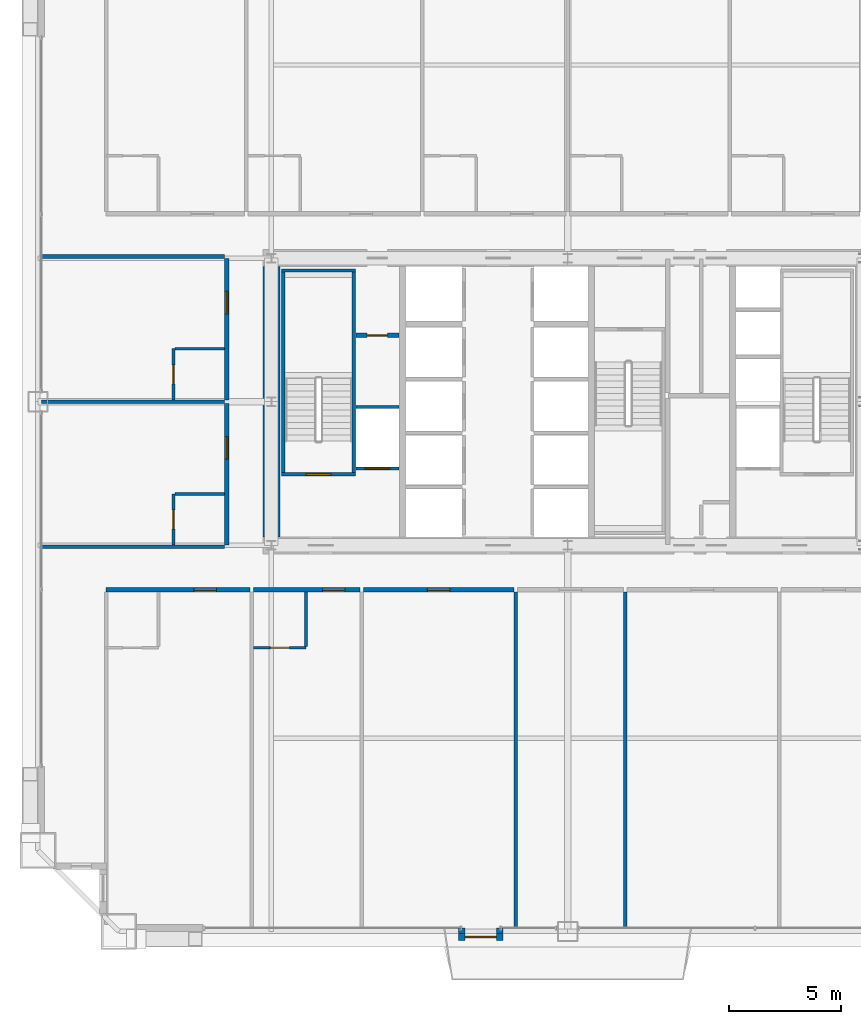
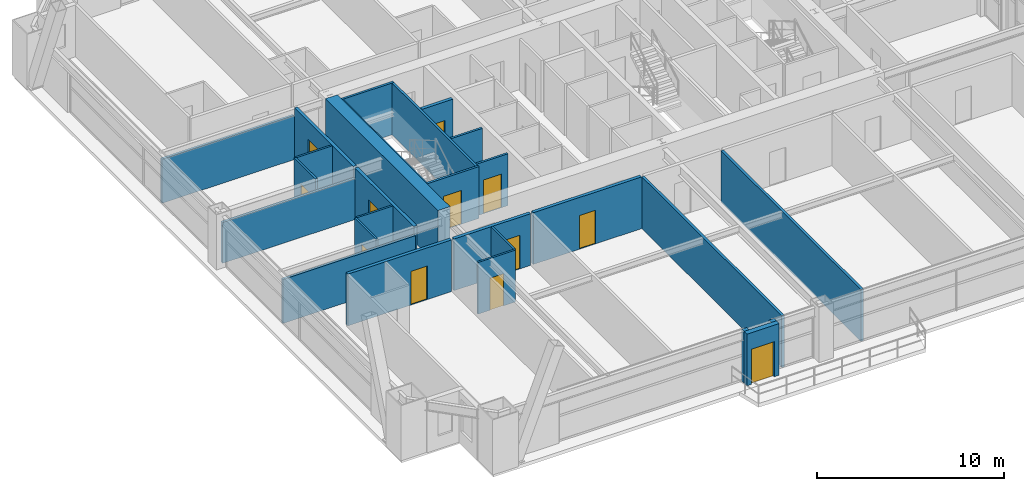
# One storey, part 38 of 43: 27 walls, 12 doors, 12 openings.
"""IFC4 building model written with IfcOpenShell, lengths in metres."""

from ifc_helpers import new_model, si_unit, direction, frame, frame_2d, origin, place, context, subcontext, project, spatial, rectangle, extrude, source, transform, mapped, material, layer, layer_set, type_object, element, fill, save


model = new_model("IFC4")

# Units and contexts
model_context = context("Model", 3, precision=1e-05, world=origin(), true_north=direction((0.0, 1.0)))
body_context = subcontext(model_context, "Body", "Model", "MODEL_VIEW")
ifc_project = project(units=[si_unit("LENGTHUNIT", "METRE"), si_unit("AREAUNIT", "SQUARE_METRE"), si_unit("VOLUMEUNIT", "CUBIC_METRE"), si_unit("PLANEANGLEUNIT", "RADIAN"), si_unit("MASSUNIT", "GRAM", prefix="KILO"), si_unit("THERMODYNAMICTEMPERATUREUNIT", "KELVIN"), si_unit("POWERUNIT", "WATT")], contexts=[model_context])

# Site, building, storey
site_placement = place(None, origin())
site = spatial("IfcSite", under=ifc_project, at=site_placement, CompositionType="ELEMENT")
building_placement = place(site_placement, origin())
building = spatial("IfcBuilding", under=site, at=building_placement, Name="Yuzanri Waterfront Tower", CompositionType="ELEMENT")
storey_placement = place(building_placement, frame((0.0, 0.0, 159.60009765625)))
storey = spatial("IfcBuildingStorey", under=building, at=storey_placement, Name="L42", CompositionType="ELEMENT", Elevation=159.60009765625)

# Wall, opening, door
ifc_material_1 = material(Name="Moisture-Resistant Gypsum Stud Wall", Category="gypsum")
ifc_layer_1 = layer(ifc_material_1, 0.1201171875)
ifc_layer_set_1 = layer_set([ifc_layer_1], Name="Moisture-Resistant Gypsum Stud Wall")
wall_type_1 = type_object("IfcWallType", Name="Bathroom and Kitchen Wet Partition 120", PredefinedType="PARTITIONING", material=ifc_layer_set_1)
wall_1_placement = place(storey_placement, frame((23.010986328125, 14.840087890625, 0.0), z_axis=(0.0, 0.0, 1.0), x_axis=(1.0, 0.0, 0.0)))
wall_1 = element("IfcWall", 1, at=wall_1_placement, inside=storey, type_object=wall_type_1, Name="L42 Partition UW-L42-S2-BS", PredefinedType="PARTITIONING", context=body_context, shape_type="SweptSolid", body=[
    extrude(rectangle(XDim=2.330078125, YDim=0.1201171875, at=frame_2d((1.1650390625, 0.0))), origin(), (0.0, 0.0, 1.0), 3.3798828125),
])
opening_1_placement = place(wall_1_placement, frame((0.739990234375, 0.0, 0.0)))
opening_1 = element("IfcOpeningElement", 2, at=opening_1_placement, cuts=wall_1, Name="Opening ID-0850", PredefinedType="OPENING", context=body_context, shape_type="SweptSolid", body=[
    extrude(rectangle(XDim=0.85009765625, YDim=2.10009765625, at=frame_2d((0.425048828125, 1.050048828125))), frame((0.0, 0.074951171875, 0.0), z_axis=(0.0, -1.0, 0.0), x_axis=(1.0, 0.0, 0.0)), (0.0, 0.0, 1.0), 0.14990234375),
])
ifc_material_2 = material(Name="Moisture-Resistant Lacquered Timber", Category="wood")
door_type_1 = type_object("IfcDoorType", Name="En-Suite Bathroom and Kitchen Swing Door 850x2100", OperationType="NOTDEFINED", PredefinedType="DOOR", material=ifc_material_2)
shared_shape_1 = source(origin(), body_context, "Body", "SweptSolid", [
    extrude(rectangle(XDim=0.85009765625, YDim=2.10009765625, at=frame_2d((0.425048828125, 1.050048828125))), frame((0.0, 0.02490234375, 0.0), z_axis=(0.0, -1.0, 0.0), x_axis=(1.0, 0.0, 0.0)), (0.0, 0.0, 1.0), 0.050048828125),
])
door_1_placement = place(opening_1_placement, origin())
door_1 = element("IfcDoor", 3, at=door_1_placement, inside=storey, type_object=door_type_1, Name="L42 Guest En-Suite Door", OperationType="SINGLE_SWING_LEFT", OverallHeight=2.10009765625, OverallWidth=0.85009765625, PredefinedType="DOOR", context=body_context, shape_type="MappedRepresentation", body=[
    mapped(shared_shape_1, transform((0.0, 0.0, 0.0), scale=1.0)),
])
fill(opening_1, door_1)

wall_2_placement = place(storey_placement, frame((19.43994140625, 19.409912109375, 0.0), z_axis=(0.0, 0.0, 1.0), x_axis=(0.0, 1.0, 0.0)))
wall_2 = element("IfcWall", 4, at=wall_2_placement, inside=storey, type_object=wall_type_1, Name="L42 Partition UW-L42-W1-BW", PredefinedType="PARTITIONING", context=body_context, shape_type="SweptSolid", body=[
    extrude(rectangle(XDim=2.280029296875, YDim=0.1201171875, at=frame_2d((1.14013671875, 0.0))), origin(), (0.0, 0.0, 1.0), 3.3798828125),
])
opening_2_placement = place(wall_2_placement, frame((0.715087890625, 0.0, 0.0)))
opening_2 = element("IfcOpeningElement", 5, at=opening_2_placement, cuts=wall_2, Name="Opening ID-0850", PredefinedType="OPENING", context=body_context, shape_type="SweptSolid", body=[
    extrude(rectangle(XDim=0.85009765625, YDim=2.10009765625, at=frame_2d((0.425048828125, 1.050048828125))), frame((0.0, 0.074951171875, 0.0), z_axis=(0.0, -1.0, 0.0), x_axis=(1.0, 0.0, 0.0)), (0.0, 0.0, 1.0), 0.14990234375),
])
door_2_placement = place(opening_2_placement, origin())
door_2 = element("IfcDoor", 6, at=door_2_placement, inside=storey, type_object=door_type_1, Name="L42 Guest En-Suite Door", OperationType="SINGLE_SWING_RIGHT", OverallHeight=2.10009765625, OverallWidth=0.85009765625, PredefinedType="DOOR", context=body_context, shape_type="MappedRepresentation", body=[
    mapped(shared_shape_1, transform((0.0, 0.0, 0.0), scale=1.0)),
])
fill(opening_2, door_2)

wall_3_placement = place(storey_placement, frame((19.43994140625, 25.8798828125, 0.0), z_axis=(0.0, 0.0, 1.0), x_axis=(0.0, 1.0, 0.0)))
wall_3 = element("IfcWall", 7, at=wall_3_placement, inside=storey, type_object=wall_type_1, Name="L42 Partition UW-L42-W2-BW", PredefinedType="PARTITIONING", context=body_context, shape_type="SweptSolid", body=[
    extrude(rectangle(XDim=2.280029296875, YDim=0.1201171875, at=frame_2d((1.14013671875, 0.0))), origin(), (0.0, 0.0, 1.0), 3.3798828125),
])
opening_3_placement = place(wall_3_placement, frame((0.715087890625, 0.0, 0.0)))
opening_3 = element("IfcOpeningElement", 8, at=opening_3_placement, cuts=wall_3, Name="Opening ID-0850", PredefinedType="OPENING", context=body_context, shape_type="SweptSolid", body=[
    extrude(rectangle(XDim=0.85009765625, YDim=2.10009765625, at=frame_2d((0.425048828125, 1.050048828125))), frame((0.0, 0.074951171875, 0.0), z_axis=(0.0, -1.0, 0.0), x_axis=(1.0, 0.0, 0.0)), (0.0, 0.0, 1.0), 0.14990234375),
])
door_3_placement = place(opening_3_placement, origin())
door_3 = element("IfcDoor", 9, at=door_3_placement, inside=storey, type_object=door_type_1, Name="L42 Guest En-Suite Door", OperationType="SINGLE_SWING_RIGHT", OverallHeight=2.10009765625, OverallWidth=0.85009765625, PredefinedType="DOOR", context=body_context, shape_type="MappedRepresentation", body=[
    mapped(shared_shape_1, transform((0.0, 0.0, 0.0), scale=1.0)),
])
fill(opening_3, door_3)

ifc_material_3 = material(Name="Honed Chongqing Dark Basalt Stone", Category="masonry")
ifc_layer_2 = layer(ifc_material_3, 0.300048828125)
ifc_layer_set_2 = layer_set([ifc_layer_2], Name="Honed Chongqing Dark Basalt Stone")
wall_type_2 = type_object("IfcWallType", Name="Bronze Rainscreen Insulated Spandrel Portal Wall 300", PredefinedType="SOLIDWALL", material=ifc_layer_set_2)
wall_4_placement = place(storey_placement, frame((32.126953125, 1.949951171875, 0.0), z_axis=(0.0, 0.0, 1.0), x_axis=(1.0, 0.0, 0.0)))
wall_4 = element("IfcWall", 10, at=wall_4_placement, inside=storey, type_object=wall_type_2, Name="L42 S Terrace Door Portal Wall", PredefinedType="SOLIDWALL", context=body_context, shape_type="SweptSolid", body=[
    extrude(rectangle(XDim=2.0, YDim=0.300048828125, at=frame_2d((1.0, 0.0))), origin(), (0.0, 0.0, 1.0), 3.3798828125),
])
opening_4_placement = place(wall_4_placement, frame((0.300048828125, 0.0, 0.0)))
opening_4 = element("IfcOpeningElement", 11, at=opening_4_placement, cuts=wall_4, Name="Opening TD-1400", PredefinedType="OPENING", context=body_context, shape_type="SweptSolid", body=[
    extrude(rectangle(XDim=1.39990234375, YDim=2.300048828125, at=frame_2d((0.699951171875, 1.14990234375))), frame((0.0, 0.1650390625, 0.0), z_axis=(0.0, -1.0, 0.0), x_axis=(1.0, 0.0, 0.0)), (0.0, 0.0, 1.0), 0.329833984375),
])
ifc_material_4 = material(Name="Anodized Architectural Bronze", Category="metal")
door_type_2 = type_object("IfcDoorType", Name="Anodized Bronze Balcony and Terrace Glazed Double Door 1400x2300", OperationType="NOTDEFINED", PredefinedType="DOOR", material=ifc_material_4)
shared_shape_2 = source(origin(), body_context, "Body", "SweptSolid", [
    extrude(rectangle(XDim=1.39990234375, YDim=2.300048828125, at=frame_2d((0.699951171875, 1.14990234375))), frame((0.0, 0.02490234375, 0.0), z_axis=(0.0, -1.0, 0.0), x_axis=(1.0, 0.0, 0.0)), (0.0, 0.0, 1.0), 0.050048828125),
])
door_4_placement = place(opening_4_placement, origin())
door_4 = element("IfcDoor", 12, at=door_4_placement, inside=storey, type_object=door_type_2, Name="L42 S Terrace Glazed Double Door", OperationType="DOUBLE_DOOR_SINGLE_SWING", OverallHeight=2.300048828125, OverallWidth=1.39990234375, PredefinedType="DOOR", context=body_context, shape_type="MappedRepresentation", body=[
    mapped(shared_shape_2, transform((0.0, 0.0, 0.0), scale=1.0)),
])
fill(opening_4, door_4)

ifc_material_5 = material(Name="Concrete C40", Category="concrete")
ifc_layer_3 = layer(ifc_material_5, 0.139892578125)
ifc_layer_set_3 = layer_set([ifc_layer_3], Name="Concrete C40")
wall_type_3 = type_object("IfcWallType", Name="Core Stair Liner and Hoistway Shaft Wall 140", PredefinedType="SOLIDWALL", material=ifc_layer_set_3)
wall_5_placement = place(storey_placement, frame((27.56005859375, 22.830078125, 0.0), z_axis=(0.0, 0.0, 1.0), x_axis=(1.0, 0.0, 0.0)))
wall_5 = element("IfcWall", 13, at=wall_5_placement, inside=storey, type_object=wall_type_3, Name="L42 Lift FL-01 Front Shaft Wall", PredefinedType="SOLIDWALL", context=body_context, shape_type="SweptSolid", body=[
    extrude(rectangle(XDim=1.919921875, YDim=0.139892578125, at=frame_2d((0.9599609375, 0.0))), origin(), (0.0, 0.0, 1.0), 3.3798828125),
])
opening_5_placement = place(wall_5_placement, frame((0.409912109375, 0.0, 0.0)))
opening_5 = element("IfcOpeningElement", 14, at=opening_5_placement, cuts=wall_5, Name="Opening LD-FL-01", PredefinedType="OPENING", context=body_context, shape_type="SweptSolid", body=[
    extrude(rectangle(XDim=1.10009765625, YDim=2.199951171875, at=frame_2d((0.550048828125, 1.10009765625))), frame((0.0, 0.0849609375, 0.0), z_axis=(0.0, -1.0, 0.0), x_axis=(1.0, 0.0, 0.0)), (0.0, 0.0, 1.0), 0.169677734375),
])
ifc_material_6 = material(Name="Brushed Bronze and Stainless Steel Cab", Category="steel")
door_type_3 = type_object("IfcDoorType", Name="Center-Parting Bronze Lift Landing Sliding Door 1100x2200", OperationType="NOTDEFINED", PredefinedType="DOOR", material=ifc_material_6)
shared_shape_3 = source(origin(), body_context, "Body", "SweptSolid", [
    extrude(rectangle(XDim=1.10009765625, YDim=2.199951171875, at=frame_2d((0.550048828125, 1.10009765625))), frame((0.0, 0.02490234375, 0.0), z_axis=(0.0, -1.0, 0.0), x_axis=(1.0, 0.0, 0.0)), (0.0, 0.0, 1.0), 0.050048828125),
])
door_5_placement = place(opening_5_placement, origin())
door_5 = element("IfcDoor", 15, at=door_5_placement, inside=storey, type_object=door_type_3, Name="L42 FL-01 Lift Landing Sliding Door", OperationType="SLIDING_TO_LEFT", OverallHeight=2.199951171875, OverallWidth=1.10009765625, PredefinedType="DOOR", context=body_context, shape_type="MappedRepresentation", body=[
    mapped(shared_shape_3, transform((0.0, 0.0, 0.0), scale=1.0)),
])
fill(opening_5, door_5)

wall_6_placement = place(storey_placement, frame((24.260009765625, 22.570068359375, 0.0), z_axis=(0.0, 0.0, 1.0), x_axis=(1.0, 0.0, 0.0)))
wall_6 = element("IfcWall", 16, at=wall_6_placement, inside=storey, type_object=wall_type_3, Name="L42 Shaft Wall STW-L42-ST-01-S", PredefinedType="SOLIDWALL", context=body_context, shape_type="SweptSolid", body=[
    extrude(rectangle(XDim=3.280029296875, YDim=0.139892578125, at=frame_2d((1.64013671875, 0.0))), origin(), (0.0, 0.0, 1.0), 3.3798828125),
])
opening_6_placement = place(wall_6_placement, frame((1.090087890625, 0.0, 0.0)))
opening_6 = element("IfcOpeningElement", 17, at=opening_6_placement, cuts=wall_6, Name="Opening FD-1100", PredefinedType="OPENING", context=body_context, shape_type="SweptSolid", body=[
    extrude(rectangle(XDim=1.10009765625, YDim=2.199951171875, at=frame_2d((0.550048828125, 1.10009765625))), frame((0.0, 0.0849609375, 0.0), z_axis=(0.0, -1.0, 0.0), x_axis=(1.0, 0.0, 0.0)), (0.0, 0.0, 1.0), 0.169677734375),
])
ifc_material_7 = material(Name="Painted Galvanized Fire Steel", Category="steel")
door_type_4 = type_object("IfcDoorType", Name="Smoke-Proof Stair and Lobby Fire Door 1100x2200", OperationType="NOTDEFINED", PredefinedType="DOOR", material=ifc_material_7)
shared_shape_4 = source(origin(), body_context, "Body", "SweptSolid", [
    extrude(rectangle(XDim=1.10009765625, YDim=2.199951171875, at=frame_2d((0.550048828125, 1.10009765625))), frame((0.0, 0.02490234375, 0.0), z_axis=(0.0, -1.0, 0.0), x_axis=(1.0, 0.0, 0.0)), (0.0, 0.0, 1.0), 0.050048828125),
])
door_6_placement = place(opening_6_placement, origin())
door_6 = element("IfcDoor", 18, at=door_6_placement, inside=storey, type_object=door_type_4, Name="L42 Stair ST-01 Fire Door", OperationType="SINGLE_SWING_RIGHT", OverallHeight=2.199951171875, OverallWidth=1.10009765625, PredefinedType="DOOR", context=body_context, shape_type="MappedRepresentation", body=[
    mapped(shared_shape_4, transform((0.0, 0.0, 0.0), scale=1.0)),
])
fill(opening_6, door_6)

ifc_material_8 = material(Name="Autoclaved Aerated Concrete Blockwork", Category="masonry")
ifc_layer_4 = layer(ifc_material_8, 0.199951171875)
ifc_layer_set_4 = layer_set([ifc_layer_4], Name="Autoclaved Aerated Concrete Blockwork")
wall_type_4 = type_object("IfcWallType", Name="Corridor and Unit Party Fire Wall 200", PredefinedType="PARTITIONING", material=ifc_layer_set_4)
wall_7_placement = place(storey_placement, frame((27.56005859375, 28.75, 0.0), z_axis=(0.0, 0.0, 1.0), x_axis=(1.0, 0.0, 0.0)))
wall_7 = element("IfcWall", 19, at=wall_7_placement, inside=storey, type_object=wall_type_4, Name="L42 Partition CRW-L42-ERTR", PredefinedType="PARTITIONING", context=body_context, shape_type="SweptSolid", body=[
    extrude(rectangle(XDim=1.919921875, YDim=0.199951171875, at=frame_2d((0.9599609375, 0.0))), origin(), (0.0, 0.0, 1.0), 3.3798828125),
])
opening_7_placement = place(wall_7_placement, frame((0.510009765625, 0.0, 0.0)))
opening_7 = element("IfcOpeningElement", 20, at=opening_7_placement, cuts=wall_7, Name="Opening FD-0900", PredefinedType="OPENING", context=body_context, shape_type="SweptSolid", body=[
    extrude(rectangle(XDim=0.89990234375, YDim=2.14990234375, at=frame_2d((0.449951171875, 1.074951171875))), frame((0.0, 0.11474609375, 0.0), z_axis=(0.0, -1.0, 0.0), x_axis=(1.0, 0.0, 0.0)), (0.0, 0.0, 1.0), 0.229736328125),
])
ifc_material_9 = material(Name="Painted Galvanized Fire Steel", Category="steel")
door_type_5 = type_object("IfcDoorType", Name="Riser and Service Room Fire Door 900x2150", OperationType="NOTDEFINED", PredefinedType="DOOR", material=ifc_material_9)
shared_shape_5 = source(origin(), body_context, "Body", "SweptSolid", [
    extrude(rectangle(XDim=0.89990234375, YDim=2.14990234375, at=frame_2d((0.449951171875, 1.074951171875))), frame((0.0, 0.02490234375, 0.0), z_axis=(0.0, -1.0, 0.0), x_axis=(1.0, 0.0, 0.0)), (0.0, 0.0, 1.0), 0.050048828125),
])
door_7_placement = place(opening_7_placement, origin())
door_7 = element("IfcDoor", 21, at=door_7_placement, inside=storey, type_object=door_type_5, Name="L42 Electrical Riser Door", OperationType="SINGLE_SWING_LEFT", OverallHeight=2.14990234375, OverallWidth=0.89990234375, PredefinedType="DOOR", context=body_context, shape_type="MappedRepresentation", body=[
    mapped(shared_shape_5, transform((0.0, 0.0, 0.0), scale=1.0)),
])
fill(opening_7, door_7)

wall_8_placement = place(storey_placement, frame((16.43994140625, 17.419921875, 0.0), z_axis=(0.0, 0.0, 1.0), x_axis=(1.0, 0.0, 0.0)))
wall_8 = element("IfcWall", 22, at=wall_8_placement, inside=storey, type_object=wall_type_4, Name="L42 Partition UW-L42-S1-CN", PredefinedType="PARTITIONING", context=body_context, shape_type="SweptSolid", body=[
    extrude(rectangle(XDim=6.4111328125, YDim=0.199951171875, at=frame_2d((3.20556640625, 0.0))), origin(), (0.0, 0.0, 1.0), 3.3798828125),
])
opening_8_placement = place(wall_8_placement, frame((3.910888671875, 0.0, 0.0)))
opening_8 = element("IfcOpeningElement", 23, at=opening_8_placement, cuts=wall_8, Name="Opening FD-1000", PredefinedType="OPENING", context=body_context, shape_type="SweptSolid", body=[
    extrude(rectangle(XDim=1.0, YDim=2.199951171875, at=frame_2d((0.5, 1.10009765625))), frame((0.0, 0.11474609375, 0.0), z_axis=(0.0, -1.0, 0.0), x_axis=(1.0, 0.0, 0.0)), (0.0, 0.0, 1.0), 0.229736328125),
])
ifc_material_10 = material(Name="Engineered Oak Fire-Rated Timber", Category="wood")
door_type_6 = type_object("IfcDoorType", Name="Guestroom and Apartment Entrance Fire Door 1000x2200", OperationType="NOTDEFINED", PredefinedType="DOOR", material=ifc_material_10)
shared_shape_6 = source(origin(), body_context, "Body", "SweptSolid", [
    extrude(rectangle(XDim=1.0, YDim=2.199951171875, at=frame_2d((0.5, 1.10009765625))), frame((0.0, 0.02490234375, 0.0), z_axis=(0.0, -1.0, 0.0), x_axis=(1.0, 0.0, 0.0)), (0.0, 0.0, 1.0), 0.050048828125),
])
door_8_placement = place(opening_8_placement, origin())
door_8 = element("IfcDoor", 24, at=door_8_placement, inside=storey, type_object=door_type_6, Name="L42 Premier Riverview Junior Suite Entrance Door", OperationType="SINGLE_SWING_RIGHT", OverallHeight=2.199951171875, OverallWidth=1.0, PredefinedType="DOOR", context=body_context, shape_type="MappedRepresentation", body=[
    mapped(shared_shape_6, transform((0.0, 0.0, 0.0), scale=1.0)),
])
fill(opening_8, door_8)

wall_9_placement = place(storey_placement, frame((23.010986328125, 17.419921875, 0.0), z_axis=(0.0, 0.0, 1.0), x_axis=(1.0, 0.0, 0.0)))
wall_9 = element("IfcWall", 25, at=wall_9_placement, inside=storey, type_object=wall_type_4, Name="L42 Partition UW-L42-S2-CN", PredefinedType="PARTITIONING", context=body_context, shape_type="SweptSolid", body=[
    extrude(rectangle(XDim=4.72705078125, YDim=0.199951171875, at=frame_2d((2.363525390625, 0.0))), origin(), (0.0, 0.0, 1.0), 3.3798828125),
])
opening_9_placement = place(wall_9_placement, frame((3.068115234375, 0.0, 0.0)))
opening_9 = element("IfcOpeningElement", 26, at=opening_9_placement, cuts=wall_9, Name="Opening FD-1000", PredefinedType="OPENING", context=body_context, shape_type="SweptSolid", body=[
    extrude(rectangle(XDim=1.0, YDim=2.199951171875, at=frame_2d((0.5, 1.10009765625))), frame((0.0, 0.11474609375, 0.0), z_axis=(0.0, -1.0, 0.0), x_axis=(1.0, 0.0, 0.0)), (0.0, 0.0, 1.0), 0.229736328125),
])
door_9_placement = place(opening_9_placement, origin())
door_9 = element("IfcDoor", 27, at=door_9_placement, inside=storey, type_object=door_type_6, Name="L42 Junior Suite Entrance Door", OperationType="SINGLE_SWING_RIGHT", OverallHeight=2.199951171875, OverallWidth=1.0, PredefinedType="DOOR", context=body_context, shape_type="MappedRepresentation", body=[
    mapped(shared_shape_6, transform((0.0, 0.0, 0.0), scale=1.0)),
])
fill(opening_9, door_9)

wall_10_placement = place(storey_placement, frame((27.89794921875, 17.419921875, 0.0), z_axis=(0.0, 0.0, 1.0), x_axis=(1.0, 0.0, 0.0)))
wall_10 = element("IfcWall", 28, at=wall_10_placement, inside=storey, type_object=wall_type_4, Name="L42 Partition UW-L42-S3-CN", PredefinedType="PARTITIONING", context=body_context, shape_type="SweptSolid", body=[
    extrude(rectangle(XDim=6.7021484375, YDim=0.199951171875, at=frame_2d((3.35107421875, 0.0))), origin(), (0.0, 0.0, 1.0), 3.3798828125),
])
opening_10_placement = place(wall_10_placement, frame((2.85107421875, 0.0, 0.0)))
opening_10 = element("IfcOpeningElement", 29, at=opening_10_placement, cuts=wall_10, Name="Opening FD-1000", PredefinedType="OPENING", context=body_context, shape_type="SweptSolid", body=[
    extrude(rectangle(XDim=1.0, YDim=2.199951171875, at=frame_2d((0.5, 1.10009765625))), frame((0.0, 0.11474609375, 0.0), z_axis=(0.0, -1.0, 0.0), x_axis=(1.0, 0.0, 0.0)), (0.0, 0.0, 1.0), 0.229736328125),
])
door_10_placement = place(opening_10_placement, origin())
door_10 = element("IfcDoor", 30, at=door_10_placement, inside=storey, type_object=door_type_6, Name="L42 Executive Club Room Entrance Door", OperationType="SINGLE_SWING_RIGHT", OverallHeight=2.199951171875, OverallWidth=1.0, PredefinedType="DOOR", context=body_context, shape_type="MappedRepresentation", body=[
    mapped(shared_shape_6, transform((0.0, 0.0, 0.0), scale=1.0)),
])
fill(opening_10, door_10)

wall_11_placement = place(storey_placement, frame((21.820068359375, 19.409912109375, 0.0), z_axis=(0.0, 0.0, 1.0), x_axis=(0.0, 1.0, 0.0)))
wall_11 = element("IfcWall", 31, at=wall_11_placement, inside=storey, type_object=wall_type_4, Name="L42 Partition UW-L42-W1-CW", PredefinedType="PARTITIONING", context=body_context, shape_type="SweptSolid", body=[
    extrude(rectangle(XDim=6.31005859375, YDim=0.199951171875, at=frame_2d((3.155029296875, 0.0))), origin(), (0.0, 0.0, 1.0), 3.3798828125),
])
opening_11_placement = place(wall_11_placement, frame((3.8349609375, 0.0, 0.0)))
opening_11 = element("IfcOpeningElement", 32, at=opening_11_placement, cuts=wall_11, Name="Opening FD-1000", PredefinedType="OPENING", context=body_context, shape_type="SweptSolid", body=[
    extrude(rectangle(XDim=1.0, YDim=2.199951171875, at=frame_2d((0.5, 1.10009765625))), frame((0.0, 0.11474609375, 0.0), z_axis=(0.0, -1.0, 0.0), x_axis=(1.0, 0.0, 0.0)), (0.0, 0.0, 1.0), 0.229736328125),
])
door_11_placement = place(opening_11_placement, origin())
door_11 = element("IfcDoor", 33, at=door_11_placement, inside=storey, type_object=door_type_6, Name="L42 West Guest Room Entrance Door", OperationType="SINGLE_SWING_LEFT", OverallHeight=2.199951171875, OverallWidth=1.0, PredefinedType="DOOR", context=body_context, shape_type="MappedRepresentation", body=[
    mapped(shared_shape_6, transform((0.0, 0.0, 0.0), scale=1.0)),
])
fill(opening_11, door_11)

wall_12_placement = place(storey_placement, frame((21.820068359375, 25.8798828125, 0.0), z_axis=(0.0, 0.0, 1.0), x_axis=(0.0, 1.0, 0.0)))
wall_12 = element("IfcWall", 34, at=wall_12_placement, inside=storey, type_object=wall_type_4, Name="L42 Partition UW-L42-W2-CW", PredefinedType="PARTITIONING", context=body_context, shape_type="SweptSolid", body=[
    extrude(rectangle(XDim=6.31005859375, YDim=0.199951171875, at=frame_2d((3.155029296875, 0.0))), origin(), (0.0, 0.0, 1.0), 3.3798828125),
])
opening_12_placement = place(wall_12_placement, frame((3.8349609375, 0.0, 0.0)))
opening_12 = element("IfcOpeningElement", 35, at=opening_12_placement, cuts=wall_12, Name="Opening FD-1000", PredefinedType="OPENING", context=body_context, shape_type="SweptSolid", body=[
    extrude(rectangle(XDim=1.0, YDim=2.199951171875, at=frame_2d((0.5, 1.10009765625))), frame((0.0, 0.11474609375, 0.0), z_axis=(0.0, -1.0, 0.0), x_axis=(1.0, 0.0, 0.0)), (0.0, 0.0, 1.0), 0.229736328125),
])
door_12_placement = place(opening_12_placement, origin())
door_12 = element("IfcDoor", 36, at=door_12_placement, inside=storey, type_object=door_type_6, Name="L42 West Guest Room Entrance Door", OperationType="SINGLE_SWING_LEFT", OverallHeight=2.199951171875, OverallWidth=1.0, PredefinedType="DOOR", context=body_context, shape_type="MappedRepresentation", body=[
    mapped(shared_shape_6, transform((0.0, 0.0, 0.0), scale=1.0)),
])
fill(opening_12, door_12)

# Walls
ifc_material_11 = material(Name="Concrete C55", Category="concrete")
ifc_layer_5 = layer(ifc_material_11, 0.75)
ifc_layer_set_5 = layer_set([ifc_layer_5], Name="Concrete C55")
wall_type_5 = type_object("IfcWallType", Name="Concrete C55 Low-Mid Zone Core Shear Wall 750", PredefinedType="SHEAR", material=ifc_layer_set_5)
shared_shape_7 = source(origin(), body_context, "Body", "SweptSolid", [
    extrude(rectangle(XDim=12.050048828125, YDim=0.75, at=frame_2d((6.02490234375, 0.0))), origin(), (0.0, 0.0, 1.0), 3.599853515625),
])
wall_13_placement = place(storey_placement, frame((23.800048828125, 19.77490234375, 0.0), z_axis=(0.0, 0.0, 1.0), x_axis=(0.0, 1.0, 0.0)))
element("IfcWall", 37, at=wall_13_placement, inside=storey, type_object=wall_type_5, Name="L42 Core West Shear Wall", PredefinedType="SHEAR", context=body_context, shape_type="MappedRepresentation", body=[
    mapped(shared_shape_7, transform((0.0, 0.0, 0.0), scale=1.0)),
])
shared_shape_8 = source(origin(), body_context, "Body", "SweptSolid", [
    extrude(rectangle(XDim=0.25, YDim=0.300048828125, at=frame_2d((0.125, 0.0))), origin(), (0.0, 0.0, 1.0), 3.3798828125),
])
for number, where, z_axis, x_axis, name in (
    (38, (32.277099609375, 2.35009765625, 0.0), (0.0, 0.0, 1.0), (0.0, -1.0, 0.0), "L42 S Terrace Portal Left Return"),
    (39, (33.97705078125, 2.10009765625, 0.0), (0.0, 0.0, 1.0), (0.0, 1.0, 0.0), "L42 S Terrace Portal Right Return"),
):
    element("IfcWall", number, at=place(storey_placement, frame(where, z_axis=z_axis, x_axis=x_axis)), inside=storey, type_object=wall_type_2, Name=name, PredefinedType="SOLIDWALL", context=body_context, shape_type="MappedRepresentation", body=[
        mapped(shared_shape_8, transform((0.0, 0.0, 0.0), scale=1.0)),
    ])
shared_shape_9 = source(origin(), body_context, "Body", "SweptSolid", [
    extrude(rectangle(XDim=1.919921875, YDim=0.139892578125, at=frame_2d((0.9599609375, 0.0))), origin(), (0.0, 0.0, 1.0), 3.3798828125),
])
wall_14_placement = place(storey_placement, frame((27.56005859375, 25.570068359375, 0.0), z_axis=(0.0, 0.0, 1.0), x_axis=(1.0, 0.0, 0.0)))
element("IfcWall", 40, at=wall_14_placement, inside=storey, type_object=wall_type_3, Name="L42 Lift FL-01 Back Shaft Wall", PredefinedType="SOLIDWALL", context=body_context, shape_type="MappedRepresentation", body=[
    mapped(shared_shape_9, transform((0.0, 0.0, 0.0), scale=1.0)),
])
shared_shape_10 = source(origin(), body_context, "Body", "SweptSolid", [
    extrude(rectangle(XDim=3.280029296875, YDim=0.139892578125, at=frame_2d((1.64013671875, 0.0))), origin(), (0.0, 0.0, 1.0), 3.3798828125),
])
wall_15_placement = place(storey_placement, frame((24.260009765625, 31.64990234375, 0.0), z_axis=(0.0, 0.0, 1.0), x_axis=(1.0, 0.0, 0.0)))
element("IfcWall", 41, at=wall_15_placement, inside=storey, type_object=wall_type_3, Name="L42 Stair ST-01 North Shaft Wall", PredefinedType="SOLIDWALL", context=body_context, shape_type="MappedRepresentation", body=[
    mapped(shared_shape_10, transform((0.0, 0.0, 0.0), scale=1.0)),
])
shared_shape_11 = source(origin(), body_context, "Body", "SweptSolid", [
    extrude(rectangle(XDim=8.940185546875, YDim=0.139892578125, at=frame_2d((4.47021484375, 0.0))), origin(), (0.0, 0.0, 1.0), 3.3798828125),
])
for number, where, z_axis, x_axis, name in (
    (42, (24.330078125, 22.639892578125, 0.0), (0.0, 0.0, 1.0), (0.0, 1.0, 0.0), "L42 Stair ST-01 West Shaft Wall"),
    (43, (27.469970703125, 22.639892578125, 0.0), (0.0, 0.0, 1.0), (0.0, 1.0, 0.0), "L42 Stair ST-01 East Shaft Wall"),
):
    element("IfcWall", number, at=place(storey_placement, frame(where, z_axis=z_axis, x_axis=x_axis)), inside=storey, type_object=wall_type_3, Name=name, PredefinedType="SOLIDWALL", context=body_context, shape_type="MappedRepresentation", body=[
        mapped(shared_shape_11, transform((0.0, 0.0, 0.0), scale=1.0)),
    ])
shared_shape_12 = source(origin(), body_context, "Body", "SweptSolid", [
    extrude(rectangle(XDim=2.420166015625, YDim=0.1201171875, at=frame_2d((1.2099609375, 0.0))), origin(), (0.0, 0.0, 1.0), 3.3798828125),
])
wall_16_placement = place(storey_placement, frame((25.341064453125, 14.89990234375, 0.0), z_axis=(0.0, 0.0, 1.0), x_axis=(0.0, 1.0, 0.0)))
element("IfcWall", 44, at=wall_16_placement, inside=storey, type_object=wall_type_1, Name="L42-S2 En-Suite Side Wall", PredefinedType="PARTITIONING", context=body_context, shape_type="MappedRepresentation", body=[
    mapped(shared_shape_12, transform((0.0, 0.0, 0.0), scale=1.0)),
])
shared_shape_13 = source(origin(), body_context, "Body", "SweptSolid", [
    extrude(rectangle(XDim=2.219970703125, YDim=0.1201171875, at=frame_2d((1.10986328125, 0.0))), origin(), (0.0, 0.0, 1.0), 3.3798828125),
])
for number, where, z_axis, x_axis, name in (
    (45, (19.5, 21.68994140625, 0.0), (0.0, 0.0, 1.0), (1.0, 0.0, 0.0), "L42-W1 En-Suite Top Wall"),
    (46, (19.5, 28.159912109375, 0.0), (0.0, 0.0, 1.0), (1.0, 0.0, 0.0), "L42-W2 En-Suite Top Wall"),
):
    element("IfcWall", number, at=place(storey_placement, frame(where, z_axis=z_axis, x_axis=x_axis)), inside=storey, type_object=wall_type_1, Name=name, PredefinedType="PARTITIONING", context=body_context, shape_type="MappedRepresentation", body=[
        mapped(shared_shape_13, transform((0.0, 0.0, 0.0), scale=1.0)),
    ])
ifc_material_12 = material(Name="Gypsum Fireboard Acoustic Stud Wall", Category="gypsum")
ifc_layer_6 = layer(ifc_material_12, 0.159912109375)
ifc_layer_set_6 = layer_set([ifc_layer_6], Name="Gypsum Fireboard Acoustic Stud Wall")
wall_type_6 = type_object("IfcWallType", Name="Acoustic Suite Demising Partition 160", PredefinedType="PARTITIONING", material=ifc_layer_set_6)
shared_shape_14 = source(origin(), body_context, "Body", "SweptSolid", [
    extrude(rectangle(XDim=8.169921875, YDim=0.159912109375, at=frame_2d((4.0849609375, 0.0))), origin(), (0.0, 0.0, 1.0), 2.875),
])
for number, where, z_axis, x_axis, name in (
    (47, (13.550048828125, 19.330078125, 0.0), (0.0, 0.0, 1.0), (1.0, 0.0, 0.0), "L42-W1 Wing South End Wall"),
    (48, (13.550048828125, 32.27001953125, 0.0), (0.0, 0.0, 1.0), (1.0, 0.0, 0.0), "L42-W2 Wing North End Wall"),
):
    element("IfcWall", number, at=place(storey_placement, frame(where, z_axis=z_axis, x_axis=x_axis)), inside=storey, type_object=wall_type_6, Name=name, PredefinedType="PARTITIONING", context=body_context, shape_type="MappedRepresentation", body=[
        mapped(shared_shape_14, transform((0.0, 0.0, 0.0), scale=1.0)),
    ])
shared_shape_15 = source(origin(), body_context, "Body", "SweptSolid", [
    extrude(rectangle(XDim=14.969970703125, YDim=0.159912109375, at=frame_2d((7.48486328125, 0.0))), origin(), (0.0, 0.0, 1.0), 3.3798828125),
])
for number, where, z_axis, x_axis, name in (
    (49, (34.679931640625, 2.35009765625, 0.0), (0.0, 0.0, 1.0), (0.0, 1.0, 0.0), "L42-S3 Party Wall"),
    (50, (39.56689453125, 2.35009765625, 0.0), (0.0, 0.0, 1.0), (0.0, 1.0, 0.0), "L42-S4 Party Wall"),
):
    element("IfcWall", number, at=place(storey_placement, frame(where, z_axis=z_axis, x_axis=x_axis)), inside=storey, type_object=wall_type_6, Name=name, PredefinedType="PARTITIONING", context=body_context, shape_type="MappedRepresentation", body=[
        mapped(shared_shape_15, transform((0.0, 0.0, 0.0), scale=1.0)),
    ])
shared_shape_16 = source(origin(), body_context, "Body", "SweptSolid", [
    extrude(rectangle(XDim=8.169921875, YDim=0.159912109375, at=frame_2d((4.0849609375, 0.0))), origin(), (0.0, 0.0, 1.0), 2.6748046875),
])
wall_17_placement = place(storey_placement, frame((13.550048828125, 25.800048828125, 0.0), z_axis=(0.0, 0.0, 1.0), x_axis=(1.0, 0.0, 0.0)))
element("IfcWall", 51, at=wall_17_placement, inside=storey, type_object=wall_type_6, Name="L42-W1 Wing Party Wall", PredefinedType="PARTITIONING", context=body_context, shape_type="MappedRepresentation", body=[
    mapped(shared_shape_16, transform((0.0, 0.0, 0.0), scale=1.0)),
])

save(model, "model.ifc")
